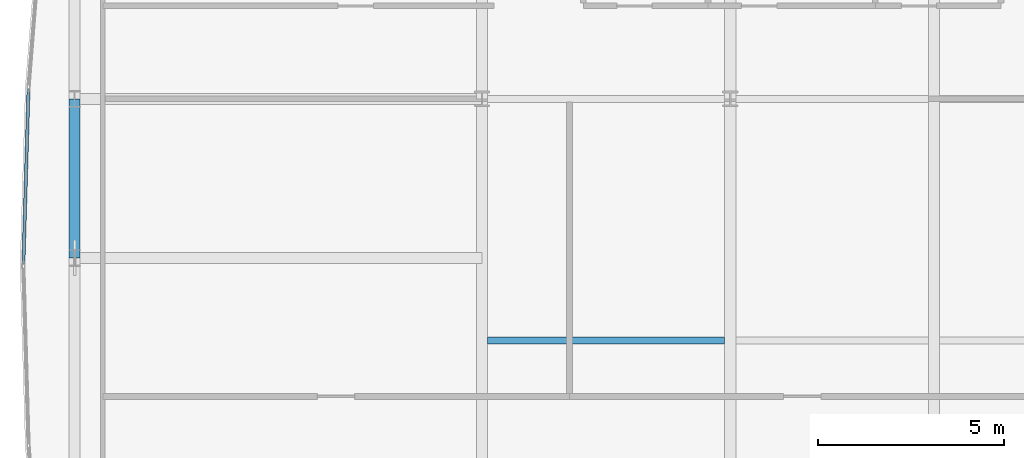
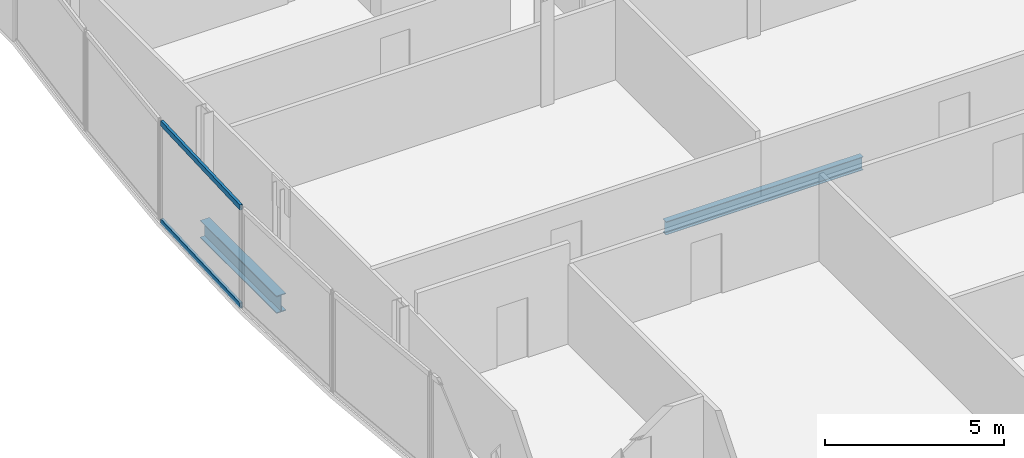
# One storey, part 11 of 32: 2 beams, 2 members, 1 element without a shape of its own.
"""IFC4 building model written with IfcOpenShell, lengths in metres."""

from ifc_helpers import new_model, si_unit, direction, frame, origin, origin_2d, place, context, subcontext, project, spatial, hollow_rectangle, i_section, extrude, material, material_profile, profile_set, type_object, element, aggregate, save


model = new_model("IFC4")

# Units and contexts
model_context = context("Model", 3, precision=1e-05, world=origin(), true_north=direction((0.0, 1.0)))
body_context = subcontext(model_context, "Body", "Model", "MODEL_VIEW")
ifc_project = project(units=[si_unit("LENGTHUNIT", "METRE"), si_unit("AREAUNIT", "SQUARE_METRE"), si_unit("VOLUMEUNIT", "CUBIC_METRE"), si_unit("PLANEANGLEUNIT", "RADIAN"), si_unit("MASSUNIT", "GRAM", prefix="KILO")], contexts=[model_context])

# Site, building, storey
site_placement = place(None, origin())
site = spatial("IfcSite", under=ifc_project, at=site_placement, CompositionType="ELEMENT")
building_placement = place(site_placement, origin())
building = spatial("IfcBuilding", under=site, at=building_placement, Name="Khoronbel Lancet Exchange", CompositionType="ELEMENT")
storey_placement = place(building_placement, frame((0.0, 0.0, 195.800048828125)))
storey = spatial("IfcBuildingStorey", under=building, at=storey_placement, Name="L49", CompositionType="ELEMENT", Elevation=195.800048828125)

# Beams
ifc_material_1 = material(Name="Steel S355", Category="steel")
ifc_material_profile_1 = material_profile(ifc_material_1, i_section(OverallWidth=0.18994140625, OverallDepth=0.449951171875, WebThickness=0.009521484375, FlangeThickness=0.0146484375, at=origin_2d()), Name="IPE 450")
ifc_profile_set_1 = profile_set([ifc_material_profile_1], Name="Steel S355")
beam_type_1 = type_object("IfcBeamType", Name="BM-BJ4", PredefinedType="JOIST", material=ifc_profile_set_1)
beam_1_placement = place(storey_placement, frame((18.375, 29.199951171875, -0.385009765625), z_axis=(1.0, 0.0, 0.0), x_axis=(0.0, 1.0, 0.0)))
element("IfcBeam", 1, at=beam_1_placement, inside=storey, type_object=beam_type_1, Name="Level L49 secondary composite joist J11", PredefinedType="JOIST", context=body_context, shape_type="SweptSolid", body=[
    extrude(i_section(OverallWidth=0.18994140625, OverallDepth=0.449951171875, WebThickness=0.009521484375, FlangeThickness=0.0146484375, at=origin_2d()), origin(), (0.0, 0.0, 1.0), 6.375),
])
ifc_material_profile_2 = material_profile(ifc_material_1, i_section(OverallWidth=0.300048828125, OverallDepth=0.60009765625, WebThickness=0.015380859375, FlangeThickness=0.030029296875, at=origin_2d()), Name="HEB 600")
ifc_profile_set_2 = profile_set([ifc_material_profile_2], Name="Steel S355")
beam_type_2 = type_object("IfcBeamType", Name="BM-BSP2", PredefinedType="SPANDREL", material=ifc_profile_set_2)
beam_2_placement = place(storey_placement, frame((7.27001953125, 35.699951171875, -0.4599609375), z_axis=(0.0, -1.0, 0.0), x_axis=(1.0, 0.0, 0.0)))
element("IfcBeam", 2, at=beam_2_placement, inside=storey, type_object=beam_type_2, Name="Level L49 perimeter spandrel beam SP18", PredefinedType="SPANDREL", context=body_context, shape_type="SweptSolid", body=[
    extrude(i_section(OverallWidth=0.300048828125, OverallDepth=0.60009765625, WebThickness=0.015380859375, FlangeThickness=0.030029296875, at=origin_2d()), origin(), (0.0, 0.0, 1.0), 4.27490234375),
])

# Curtain wall, members
ifc_material_2 = material(Name="Low-E Solar Control Insulating Glass", Category="glass")
curtain_wall_type = type_object("IfcCurtainWallType", Name="CW-4", PredefinedType="NOTDEFINED", material=ifc_material_2)
curtain_wall_placement = place(storey_placement, origin())
curtain_wall = element("IfcCurtainWall", 3, at=curtain_wall_placement, inside=storey, type_object=curtain_wall_type, Name="Unitised curtain wall CW-L49-E07", PredefinedType="NOTDEFINED")
ifc_material_3 = material(Name="Bronze-Anodised Aluminium 6063-T6", Category="aluminium")
ifc_material_profile_3 = material_profile(ifc_material_3, hollow_rectangle(XDim=0.0849609375, YDim=0.179931640625, WallThickness=0.0048828125, at=origin_2d()), Name="ALU TRANSOM 85x180")
ifc_profile_set_3 = profile_set([ifc_material_profile_3], Name="Bronze-Anodised Aluminium 6063-T6")
member_type = type_object("IfcMemberType", Name="MEM-CWT1", PredefinedType="USERDEFINED", material=ifc_profile_set_3)
member_1_placement = place(storey_placement, frame((5.89208984375, 31.27490234375, 0.04248046875), z_axis=(0.029106277096, 0.999576322566, 0.0), x_axis=(-0.999576322566, 0.029106277096, 0.0)))
member_1 = element("IfcMember", 4, at=member_1_placement, type_object=member_type, Name="CW4 transom 1.1", ObjectType="TRANSOM", PredefinedType="USERDEFINED", context=body_context, shape_type="SweptSolid", body=[
    extrude(hollow_rectangle(XDim=0.0849609375, YDim=0.179931640625, WallThickness=0.0048828125, at=origin_2d()), origin(), (0.0, 0.0, 1.0), 4.680419921875),
])
member_2_placement = place(storey_placement, frame((5.89208984375, 31.27490234375, 3.3974609375), z_axis=(0.029106277096, 0.999576322566, 0.0), x_axis=(-0.999576322566, 0.029106277096, 0.0)))
member_2 = element("IfcMember", 5, at=member_2_placement, type_object=member_type, Name="CW4 transom 1.2", ObjectType="TRANSOM", PredefinedType="USERDEFINED", context=body_context, shape_type="SweptSolid", body=[
    extrude(hollow_rectangle(XDim=0.0849609375, YDim=0.179931640625, WallThickness=0.0048828125, at=origin_2d()), origin(), (0.0, 0.0, 1.0), 4.680419921875),
])
aggregate(curtain_wall, [member_1, member_2])

save(model, "model.ifc")
